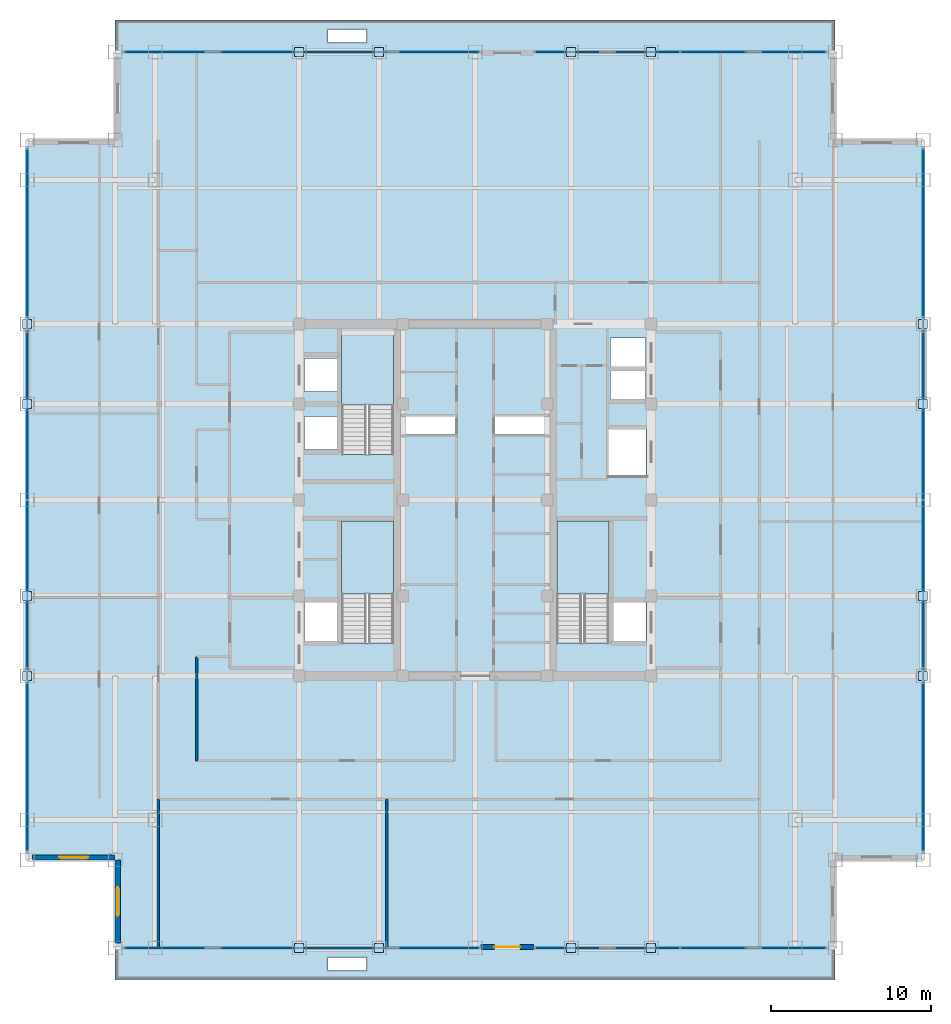
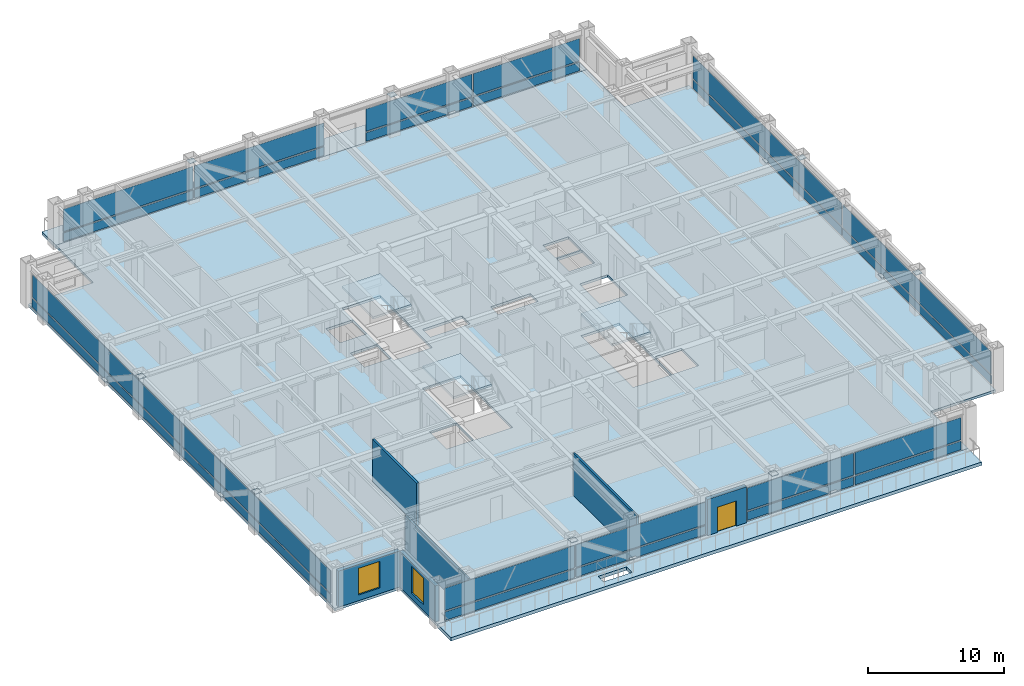
# One storey, part 25 of 32: 40 plates, 6 slabs, 6 walls, 2 windows, 1 door, 3 openings, 9 elements without a shape of their own.
"""IFC4 building model written with IfcOpenShell, lengths in metres."""

import ifcopenshell
import ifcopenshell.guid

model = None  # the IFC model being written
_history = None  # IfcOwnerHistory: only IFC2X3 demands one
_inside = {}  # id of a spatial element -> (the spatial element, [elements in it])
_under = {}  # id of a project, library or spatial element -> (it, [spatial elements below it])
_declared = {}  # id of a project -> (the project, [libraries it declares])
_typed = {}  # id of a type object -> (the type object, [elements of that type])
_made_of = {}  # id of a material, layer set ... -> (it, [elements and type objects made of it])


def new_model(schema):
    """Start an empty IFC model of exactly this schema.

    Asked for "IFC4X3", IfcOpenShell would pick the latest addendum, in which some entities
    have other attributes; the version numbers below select the first issue.
    IFC2X3 requires an IfcOwnerHistory on every rooted entity: one is made here for all.
    """
    global model, _history
    if schema == "IFC4X3":
        model = ifcopenshell.file(schema_version=(4, 3, 0, 0))
    else:
        model = ifcopenshell.file(schema=schema)
    _inside.clear()
    _under.clear()
    _declared.clear()
    _typed.clear()
    _made_of.clear()
    _history = None
    if model.schema == "IFC2X3":
        org = make("IfcOrganization", Name="unknown")
        user = make(
            "IfcPersonAndOrganization",
            ThePerson=make("IfcPerson", FamilyName="unknown"),
            TheOrganization=org,
        )
        app = make(
            "IfcApplication",
            ApplicationDeveloper=org,
            Version="unknown",
            ApplicationFullName="unknown",
            ApplicationIdentifier="unknown",
        )
        _history = make(
            "IfcOwnerHistory",
            OwningUser=user,
            OwningApplication=app,
            ChangeAction="ADDED",
            CreationDate=0,
        )
    return model


def make(cls, **values):
    """One entity of the class cls with the attributes given. An attribute that is None is left unset."""
    return model.create_entity(
        cls, **{name: value for name, value in values.items() if value is not None}
    )


def rooted(cls, **values):
    """An entity with a GlobalId (a new one), such as an element, a storey or a relation."""
    return make(cls, GlobalId=ifcopenshell.guid.new(), OwnerHistory=_history, **values)


def si_unit(unit_type, name, prefix=None):
    """IfcSIUnit, for example si_unit("LENGTHUNIT", "METRE", prefix="MILLI")."""
    return make("IfcSIUnit", UnitType=unit_type, Prefix=prefix, Name=name)


def assignment(units):
    """IfcUnitAssignment: the units of a project."""
    return None if units is None else make("IfcUnitAssignment", Units=units)


def point(xyz):
    """IfcCartesianPoint."""
    return None if xyz is None else make("IfcCartesianPoint", Coordinates=xyz)


def direction(xyz):
    """IfcDirection."""
    return None if xyz is None else make("IfcDirection", DirectionRatios=xyz)


def frame(location, z_axis=None, x_axis=None):
    """IfcAxis2Placement3D, a coordinate frame: its origin and axes. An axis left out is left unset."""
    return make(
        "IfcAxis2Placement3D",
        Location=point(location),
        Axis=direction(z_axis),
        RefDirection=direction(x_axis),
    )


def frame_2d(location, x_axis=None):
    """IfcAxis2Placement2D, a coordinate frame in the plane: its origin and x axis."""
    return make(
        "IfcAxis2Placement2D", Location=point(location), RefDirection=direction(x_axis)
    )


def origin():
    """The frame at (0, 0, 0) with its axes left unset."""
    return frame((0.0, 0.0, 0.0))


def origin_2d():
    """The frame at (0, 0) in the plane with its x axis left unset."""
    return frame_2d((0.0, 0.0))


def place(relative_to, where):
    """IfcLocalPlacement: puts the frame where relative to a parent placement (None: the world)."""
    return make(
        "IfcLocalPlacement", PlacementRelTo=relative_to, RelativePlacement=where
    )


def context(
    kind, dimensions, precision=None, world=None, true_north=None, identifier=None
):
    """IfcGeometricRepresentationContext, for example the 3D "Model" context."""
    return make(
        "IfcGeometricRepresentationContext",
        ContextIdentifier=identifier,
        ContextType=kind,
        CoordinateSpaceDimension=dimensions,
        Precision=precision,
        WorldCoordinateSystem=world,
        TrueNorth=true_north,
    )


def subcontext(parent, identifier, kind, view, scale=None):
    """IfcGeometricRepresentationSubContext, for example "Body" below "Model"."""
    return make(
        "IfcGeometricRepresentationSubContext",
        ContextIdentifier=identifier,
        ContextType=kind,
        ParentContext=parent,
        TargetScale=scale,
        TargetView=view,
    )


def project(units=None, contexts=None):
    """IfcProject with its units and contexts."""
    return rooted(
        "IfcProject",
        Name="project",
        RepresentationContexts=contexts,
        UnitsInContext=assignment(units),
    )


def spatial(cls, under=None, at=None, **own):
    """A site, building, storey or space (cls), placed at a placement, below another one or the project."""
    s = rooted(cls, ObjectPlacement=at, **own)
    if under is not None:
        _under.setdefault(under.id(), (under, []))[1].append(s)
    return s


def polyline(points):
    """IfcPolyline through the points."""
    return make("IfcPolyline", Points=[point(p) for p in points])


def profile(cls, at=None, kind="AREA", **sizes):
    """A parametric profile (cls). Its sizes go by their IFC names, for example OverallWidth=200.0."""
    return make(cls, ProfileType=kind, Position=at, **sizes)


def rectangle(**sizes):
    """IfcRectangleProfileDef."""
    return profile("IfcRectangleProfileDef", **sizes)


def outline(outer, holes=None, kind="AREA"):
    """IfcArbitraryClosedProfileDef: a profile drawn as a closed curve; with holes, ...WithVoids."""
    if holes is None:
        return make("IfcArbitraryClosedProfileDef", ProfileType=kind, OuterCurve=outer)
    return make(
        "IfcArbitraryProfileDefWithVoids",
        ProfileType=kind,
        OuterCurve=outer,
        InnerCurves=holes,
    )


def extrude(swept, where, along, depth):
    """IfcExtrudedAreaSolid: the profile swept, set in the frame where, extruded along a direction by depth."""
    return make(
        "IfcExtrudedAreaSolid",
        SweptArea=swept,
        Position=where,
        ExtrudedDirection=direction(along),
        Depth=depth,
    )


def shape(context_of_items, identifier, shape_type, items):
    """IfcShapeRepresentation: the items that make up one representation, for example the "Body"."""
    return make(
        "IfcShapeRepresentation",
        ContextOfItems=context_of_items,
        RepresentationIdentifier=identifier,
        RepresentationType=shape_type,
        Items=items,
    )


def source(mapping_origin, context_of_items, identifier, shape_type, items):
    """IfcRepresentationMap: a shape defined once, which mapped items show again and again."""
    return make(
        "IfcRepresentationMap",
        MappingOrigin=mapping_origin,
        MappedRepresentation=shape(context_of_items, identifier, shape_type, items),
    )


def transform(
    local_origin,
    x_axis=None,
    y_axis=None,
    z_axis=None,
    scale=None,
    scale2=None,
    scale3=None,
    uniform=True,
):
    """IfcCartesianTransformationOperator3D, or its non-uniform kind. x_axis, y_axis, z_axis: its Axis1, 2, 3."""
    if uniform:
        return make(
            "IfcCartesianTransformationOperator3D",
            Axis1=direction(x_axis),
            Axis2=direction(y_axis),
            LocalOrigin=point(local_origin),
            Scale=scale,
            Axis3=direction(z_axis),
        )
    return make(
        "IfcCartesianTransformationOperator3DnonUniform",
        Axis1=direction(x_axis),
        Axis2=direction(y_axis),
        LocalOrigin=point(local_origin),
        Scale=scale,
        Axis3=direction(z_axis),
        Scale2=scale2,
        Scale3=scale3,
    )


def mapped(mapping_source, mapping_target):
    """IfcMappedItem: shows the shape of a source again, moved by a transform."""
    return make(
        "IfcMappedItem", MappingSource=mapping_source, MappingTarget=mapping_target
    )


def material(Name=None, Category=None):
    """IfcMaterial."""
    return make("IfcMaterial", Name=Name, Category=Category)


def layer(
    of_material, thickness, ventilated=None, Name=None, Category=None, Priority=None
):
    """IfcMaterialLayer: one layer of a wall or slab, of a material (None: an air gap)."""
    return make(
        "IfcMaterialLayer",
        Material=of_material,
        LayerThickness=thickness,
        IsVentilated=ventilated,
        Name=Name,
        Category=Category,
        Priority=Priority,
    )


def layer_set(layers, Name=None):
    """IfcMaterialLayerSet."""
    return make("IfcMaterialLayerSet", MaterialLayers=layers, LayerSetName=Name)


def made_of(thing, what):
    """Note that an element or type object is made of a material, layer set ...; save() writes the relation."""
    if what is not None:
        _made_of.setdefault(what.id(), (what, []))[1].append(thing)
    return thing


def type_object(cls, material=None, **own):
    """A type object (cls), such as IfcWallType, which elements share."""
    return made_of(rooted(cls, **own), material)


def element(
    cls,
    number,
    at=None,
    inside=None,
    cuts=None,
    type_object=None,
    material=None,
    context=None,
    identifier="Body",
    shape_type=None,
    held_by="IfcProductDefinitionShape",
    body=None,
    shapes=None,
    **own,
):
    """One element of the class cls, such as IfcWall. Its Tag is "e" and its number.

    at: its placement. inside: the storey or other place that contains it. cuts: it is an
    opening in that element (IfcRelVoidsElement). A single representation is given by context,
    identifier, shape_type and body (its items); several are given by shapes. held_by: the class
    of the entity that holds the representations. save() writes the other relations.
    """
    e = rooted(cls, Tag="e%d" % number, ObjectPlacement=at, **own)
    if body is not None:
        shapes = [shape(context, identifier, shape_type, body)]
    if shapes is not None:
        e.Representation = make(held_by, Representations=shapes)
    if inside is not None:
        _inside.setdefault(inside.id(), (inside, []))[1].append(e)
    if cuts is not None:
        rooted(
            "IfcRelVoidsElement", RelatingBuildingElement=cuts, RelatedOpeningElement=e
        )
    if type_object is not None:
        _typed.setdefault(type_object.id(), (type_object, []))[1].append(e)
    return made_of(e, material)


def fill(opening, filler):
    """IfcRelFillsElement: the door or window that sits in an opening."""
    return rooted(
        "IfcRelFillsElement",
        RelatingOpeningElement=opening,
        RelatedBuildingElement=filler,
    )


def aggregate(whole, parts):
    """IfcRelAggregates: a whole, such as a stair, and the parts it consists of."""
    return rooted("IfcRelAggregates", RelatingObject=whole, RelatedObjects=parts)


def save(model, path):
    """Write the relations noted so far, then the file.

    IfcRelAggregates (storeys below a building ...), IfcRelContainedInSpatialStructure (elements
    in a storey), IfcRelDefinesByType, IfcRelAssociatesMaterial and IfcRelDeclares: one each for
    every whole, place, type object, material and project.
    """
    for whole, parts in _under.values():
        aggregate(whole, parts)
    for where, things in _inside.values():
        rooted(
            "IfcRelContainedInSpatialStructure",
            RelatedElements=things,
            RelatingStructure=where,
        )
    for kind, things in _typed.values():
        rooted("IfcRelDefinesByType", RelatedObjects=things, RelatingType=kind)
    for what, things in _made_of.values():
        rooted("IfcRelAssociatesMaterial", RelatedObjects=things, RelatingMaterial=what)
    for by, libraries in _declared.values():
        rooted("IfcRelDeclares", RelatingContext=by, RelatedDefinitions=libraries)
    model.write(path)


model = new_model("IFC4")

# Units and contexts
model_context = context("Model", 3, precision=1e-05, world=origin(), true_north=direction((0.0, 1.0)))
body_context = subcontext(model_context, "Body", "Model", "MODEL_VIEW")
ifc_project = project(units=[si_unit("LENGTHUNIT", "METRE"), si_unit("AREAUNIT", "SQUARE_METRE"), si_unit("VOLUMEUNIT", "CUBIC_METRE"), si_unit("PLANEANGLEUNIT", "RADIAN"), si_unit("MASSUNIT", "GRAM", prefix="KILO")], contexts=[model_context])

# Site, building, storey
site_placement = place(None, origin())
site = spatial("IfcSite", under=ifc_project, at=site_placement, CompositionType="ELEMENT")
building_placement = place(site_placement, origin())
building = spatial("IfcBuilding", under=site, at=building_placement, Name="Khorayat Bourse Tower", CompositionType="ELEMENT")
storey_placement = place(building_placement, frame((0.0, 0.0, 273.5)))
storey = spatial("IfcBuildingStorey", under=building, at=storey_placement, Name="L64", CompositionType="ELEMENT", Elevation=273.5)

# Stair, slab
ifc_material_1 = material(Name="Concrete C40/50", Category="concrete")
stair_type = type_object("IfcStairType", Name="STR-CORE-1550", PredefinedType="HALF_TURN_STAIR", material=ifc_material_1)
stair_1_placement = place(storey_placement, origin())
stair_1 = element("IfcStair", 1, at=stair_1_placement, inside=storey, type_object=stair_type, Name="L64 Exit Stair ST-1", PredefinedType="HALF_TURN_STAIR")
ifc_layer_1 = layer(ifc_material_1, 0.199951171875)
ifc_layer_set_1 = layer_set([ifc_layer_1], Name="Concrete C40/50")
slab_type_1 = type_object("IfcSlabType", Name="SLB-LANDING-200", PredefinedType="LANDING", material=ifc_layer_set_1)
slab_1_placement = place(storey_placement, frame((0.0, 0.0, 1.800048828125)))
slab_1 = element("IfcSlab", 2, at=slab_1_placement, type_object=slab_type_1, Name="ST-1 landing 1", PredefinedType="LANDING", context=body_context, shape_type="SweptSolid", body=[
    extrude(outline(polyline([(-5.10009765625, -5.8701171875), (-5.10009765625, -1.300048828125), (-8.35009765625, -1.300048828125), (-8.35009765625, -5.8701171875), (-5.10009765625, -5.8701171875)])), origin(), (0.0, 0.0, 1.0), 0.199951171875),
])
aggregate(stair_1, [slab_1])

stair_2_placement = place(storey_placement, origin())
stair_2 = element("IfcStair", 3, at=stair_2_placement, inside=storey, type_object=stair_type, Name="L64 Exit Stair ST-2", PredefinedType="HALF_TURN_STAIR")
slab_2_placement = place(storey_placement, frame((0.0, 0.0, 1.800048828125)))
slab_2 = element("IfcSlab", 4, at=slab_2_placement, type_object=slab_type_1, Name="ST-2 landing 1", PredefinedType="LANDING", context=body_context, shape_type="SweptSolid", body=[
    extrude(outline(polyline([(-5.10009765625, 5.929931640625), (-5.10009765625, 10.5), (-8.35009765625, 10.5), (-8.35009765625, 5.929931640625), (-5.10009765625, 5.929931640625)])), origin(), (0.0, 0.0, 1.0), 0.199951171875),
])
aggregate(stair_2, [slab_2])

stair_3_placement = place(storey_placement, origin())
stair_3 = element("IfcStair", 5, at=stair_3_placement, inside=storey, type_object=stair_type, Name="L64 Exit Stair ST-3", PredefinedType="HALF_TURN_STAIR")
slab_3_placement = place(storey_placement, frame((0.0, 0.0, 1.800048828125)))
slab_3 = element("IfcSlab", 6, at=slab_3_placement, type_object=slab_type_1, Name="ST-3 landing 1", PredefinedType="LANDING", context=body_context, shape_type="SweptSolid", body=[
    extrude(outline(polyline([(8.35009765625, -5.8701171875), (8.35009765625, -1.300048828125), (5.10009765625, -1.300048828125), (5.10009765625, -5.8701171875), (8.35009765625, -5.8701171875)])), origin(), (0.0, 0.0, 1.0), 0.199951171875),
])
aggregate(stair_3, [slab_3])

# Slabs
ifc_layer_2 = layer(ifc_material_1, 0.219970703125)
ifc_layer_set_2 = layer_set([ifc_layer_2], Name="Concrete C40/50")
slab_type_2 = type_object("IfcSlabType", Name="SLB-OFFICE-220", PredefinedType="FLOOR", material=ifc_layer_set_2)
slab_4_placement = place(storey_placement, frame((0.0, 0.0, -0.219970703125)))
element("IfcSlab", 7, at=slab_4_placement, inside=storey, type_object=slab_type_2, Name="L64 Main Floor Slab", PredefinedType="FLOOR", context=body_context, shape_type="SweptSolid", body=[
    extrude(outline(polyline([(-22.5, -28.0), (22.5, -28.0), (22.5, -22.5), (28.0, -22.5), (28.0, 22.5), (22.5, 22.5), (22.5, 28.0), (-22.5, 28.0), (-22.5, 22.5), (-28.0, 22.5), (-28.0, -22.5), (-22.5, -22.5), (-22.5, -28.0)]), holes=[polyline([(-8.35009765625, -8.945068359375), (-5.10009765625, -8.945068359375), (-5.10009765625, -1.300048828125), (-8.35009765625, -1.300048828125), (-8.35009765625, -8.945068359375)]), polyline([(-8.35009765625, 2.85498046875), (-5.10009765625, 2.85498046875), (-5.10009765625, 10.5), (-8.35009765625, 10.5), (-8.35009765625, 2.85498046875)]), polyline([(5.10009765625, -8.945068359375), (8.35009765625, -8.945068359375), (8.35009765625, -1.300048828125), (5.10009765625, -1.300048828125), (5.10009765625, -8.945068359375)]), polyline([(-10.679931640625, 3.169921875), (-8.419921875, 3.169921875), (-8.419921875, 5.22998046875), (-10.679931640625, 5.22998046875), (-10.679931640625, 3.169921875)]), polyline([(-10.679931640625, 6.77001953125), (-8.419921875, 6.77001953125), (-8.419921875, 8.830078125), (-10.679931640625, 8.830078125), (-10.679931640625, 6.77001953125)]), polyline([(8.469970703125, 6.27001953125), (10.6298828125, 6.27001953125), (10.6298828125, 8.1298828125), (8.469970703125, 8.1298828125), (8.469970703125, 6.27001953125)]), polyline([(8.469970703125, 8.27001953125), (10.6298828125, 8.27001953125), (10.6298828125, 10.1298828125), (8.469970703125, 10.1298828125), (8.469970703125, 8.27001953125)]), polyline([(-10.679931640625, -8.929931640625), (-8.419921875, -8.929931640625), (-8.419921875, -6.3701171875), (-10.679931640625, -6.3701171875), (-10.679931640625, -8.929931640625)]), polyline([(8.419921875, -8.929931640625), (10.679931640625, -8.929931640625), (10.679931640625, -6.3701171875), (8.419921875, -6.3701171875), (8.419921875, -8.929931640625)]), polyline([(8.320068359375, 1.52001953125), (10.679931640625, 1.52001953125), (10.679931640625, 4.47998046875), (8.320068359375, 4.47998046875), (8.320068359375, 1.52001953125)]), polyline([(-4.56005859375, 4.080078125), (-1.18994140625, 4.080078125), (-1.18994140625, 5.219970703125), (-4.56005859375, 5.219970703125), (-4.56005859375, 4.080078125)]), polyline([(1.18994140625, 4.080078125), (4.56005859375, 4.080078125), (4.56005859375, 5.219970703125), (1.18994140625, 5.219970703125), (1.18994140625, 4.080078125)])]), origin(), (0.0, 0.0, 1.0), 0.219970703125),
])
ifc_layer_3 = layer(ifc_material_1, 0.300048828125)
ifc_layer_set_3 = layer_set([ifc_layer_3], Name="Concrete C40/50")
slab_type_3 = type_object("IfcSlabType", Name="SLB-TERR-300", PredefinedType="FLOOR", material=ifc_layer_set_3)
slab_5_placement = place(storey_placement, frame((0.0, 0.0, -0.300048828125)))
element("IfcSlab", 8, at=slab_5_placement, inside=storey, type_object=slab_type_3, Name="L64 Planted Garden Terrace Slab 01", PredefinedType="FLOOR", context=body_context, shape_type="SweptSolid", body=[
    extrude(outline(polyline([(-22.5, 28.0), (22.5, 28.0), (22.5, 30.0), (-22.5, 30.0), (-22.5, 28.0)]), holes=[polyline([(-9.199951171875, 28.60009765625), (-6.800048828125, 28.60009765625), (-6.800048828125, 29.39990234375), (-9.199951171875, 29.39990234375), (-9.199951171875, 28.60009765625)])]), origin(), (0.0, 0.0, 1.0), 0.300048828125),
])
slab_6_placement = place(storey_placement, frame((0.0, 0.0, -0.300048828125)))
element("IfcSlab", 9, at=slab_6_placement, inside=storey, type_object=slab_type_3, Name="L64 Planted Garden Terrace Slab 02", PredefinedType="FLOOR", context=body_context, shape_type="SweptSolid", body=[
    extrude(outline(polyline([(-22.5, -30.0), (22.5, -30.0), (22.5, -28.0), (-22.5, -28.0), (-22.5, -30.0)]), holes=[polyline([(-9.199951171875, -29.39990234375), (-6.800048828125, -29.39990234375), (-6.800048828125, -28.60009765625), (-9.199951171875, -28.60009765625), (-9.199951171875, -29.39990234375)])]), origin(), (0.0, 0.0, 1.0), 0.300048828125),
])

# Plates
ifc_material_2 = material(Name="Steel EN 10025-2 S355J2", Category="steel")
ifc_layer_4 = layer(ifc_material_2, 0.02490234375)
ifc_layer_set_4 = layer_set([ifc_layer_4], Name="Steel EN 10025-2 S355J2")
plate_type_1 = type_object("IfcPlateType", Name="PLT-ENDCAP-25", PredefinedType="SHEET", material=ifc_layer_set_4)
shared_shape_1 = source(origin(), body_context, "Body", "SweptSolid", [
    extrude(rectangle(XDim=0.56005859375, YDim=0.56005859375, at=origin_2d()), origin(), (0.0, 0.0, 1.0), 0.02490234375),
])
for number, where, z_axis, x_axis, name in (
    (10, (-11.0, -28.0, 3.517578125), (0.0, 0.0, 1.0), (1.0, 0.0, 0.0), "L64 Perimeter Brace End Plate 001"),
    (11, (-6.0, -28.0, 0.237548828125), (0.0, 0.0, 1.0), (1.0, 0.0, 0.0), "L64 Perimeter Brace End Plate 002"),
    (12, (6.0, -28.0, 3.517578125), (0.0, 0.0, 1.0), (1.0, 0.0, 0.0), "L64 Perimeter Brace End Plate 003"),
    (13, (11.0, -28.0, 0.237548828125), (0.0, 0.0, 1.0), (1.0, 0.0, 0.0), "L64 Perimeter Brace End Plate 004"),
    (14, (-11.0, 28.0, 3.517578125), (0.0, 0.0, 1.0), (1.0, 0.0, 0.0), "L64 Perimeter Brace End Plate 005"),
    (15, (-6.0, 28.0, 0.237548828125), (0.0, 0.0, 1.0), (1.0, 0.0, 0.0), "L64 Perimeter Brace End Plate 006"),
    (16, (6.0, 28.0, 3.517578125), (0.0, 0.0, 1.0), (1.0, 0.0, 0.0), "L64 Perimeter Brace End Plate 007"),
    (17, (11.0, 28.0, 0.237548828125), (0.0, 0.0, 1.0), (1.0, 0.0, 0.0), "L64 Perimeter Brace End Plate 008"),
    (18, (-28.0, -11.0, 3.517578125), (0.0, 0.0, 1.0), (1.0, 0.0, 0.0), "L64 Perimeter Brace End Plate 009"),
    (19, (-28.0, -6.0, 0.237548828125), (0.0, 0.0, 1.0), (1.0, 0.0, 0.0), "L64 Perimeter Brace End Plate 010"),
    (20, (-28.0, 6.0, 3.517578125), (0.0, 0.0, 1.0), (1.0, 0.0, 0.0), "L64 Perimeter Brace End Plate 011"),
    (21, (-28.0, 11.0, 0.237548828125), (0.0, 0.0, 1.0), (1.0, 0.0, 0.0), "L64 Perimeter Brace End Plate 012"),
    (22, (28.0, -11.0, 3.517578125), (0.0, 0.0, 1.0), (1.0, 0.0, 0.0), "L64 Perimeter Brace End Plate 013"),
    (23, (28.0, -6.0, 0.237548828125), (0.0, 0.0, 1.0), (1.0, 0.0, 0.0), "L64 Perimeter Brace End Plate 014"),
    (24, (28.0, 6.0, 3.517578125), (0.0, 0.0, 1.0), (1.0, 0.0, 0.0), "L64 Perimeter Brace End Plate 015"),
    (25, (28.0, 11.0, 0.237548828125), (0.0, 0.0, 1.0), (1.0, 0.0, 0.0), "L64 Perimeter Brace End Plate 016"),
):
    element("IfcPlate", number, at=place(storey_placement, frame(where, z_axis=z_axis, x_axis=x_axis)), inside=storey, type_object=plate_type_1, Name=name, PredefinedType="SHEET", context=body_context, shape_type="MappedRepresentation", body=[
        mapped(shared_shape_1, transform((0.0, 0.0, 0.0), scale=1.0)),
    ])

# Curtain wall, plates
ifc_material_3 = material(Name="Aluminium EN AW-6063 T6", Category="aluminium")
curtain_wall_type = type_object("IfcCurtainWallType", Name="CW-SYS-04", PredefinedType="NOTDEFINED", material=ifc_material_3)
curtain_wall_1_placement = place(storey_placement, origin())
curtain_wall_1 = element("IfcCurtainWall", 26, at=curtain_wall_1_placement, inside=storey, type_object=curtain_wall_type, Name="L64 Curtain Wall CW-L64-S1", PredefinedType="NOTDEFINED")
ifc_material_4 = material(Name="Honed desert limestone insulated spandrel", Category="masonry")
ifc_layer_5 = layer(ifc_material_4, 0.06494140625)
ifc_layer_set_5 = layer_set([ifc_layer_5], Name="Honed desert limestone insulated spandrel")
plate_type_2 = type_object("IfcPlateType", Name="CWP-SPAND-03", PredefinedType="CURTAIN_PANEL", material=ifc_layer_set_5)
shared_shape_2 = source(origin(), body_context, "Body", "SweptSolid", [
    extrude(rectangle(XDim=10.9951171875, YDim=0.06494140625, at=origin_2d()), origin(), (0.0, 0.0, 1.0), 0.77001953125),
])
plate_1_placement = place(storey_placement, frame((-16.382568359375, -28.0, 0.119873046875), z_axis=(0.0, 0.0, 1.0), x_axis=(1.0, 0.0, 0.0)))
plate_1 = element("IfcPlate", 27, at=plate_1_placement, type_object=plate_type_2, Name="CW-L64-S1 Spandrel Panel 1-1", PredefinedType="CURTAIN_PANEL", context=body_context, shape_type="MappedRepresentation", body=[
    mapped(shared_shape_2, transform((0.0, 0.0, 0.0), scale=1.0)),
])
plate_2_placement = place(storey_placement, frame((-5.267578125, -28.0, 0.119873046875), z_axis=(0.0, 0.0, 1.0), x_axis=(1.0, 0.0, 0.0)))
plate_2 = element("IfcPlate", 28, at=plate_2_placement, type_object=plate_type_2, Name="CW-L64-S1 Spandrel Panel 2-1", PredefinedType="CURTAIN_PANEL", context=body_context, shape_type="MappedRepresentation", body=[
    mapped(shared_shape_2, transform((0.0, 0.0, 0.0), scale=1.0)),
])

curtain_wall_2_placement = place(storey_placement, origin())
curtain_wall_2 = element("IfcCurtainWall", 29, at=curtain_wall_2_placement, inside=storey, type_object=curtain_wall_type, Name="L64 Curtain Wall CW-L64-N1", PredefinedType="NOTDEFINED")
plate_3_placement = place(storey_placement, frame((-16.382568359375, 28.0, 0.119873046875), z_axis=(0.0, 0.0, 1.0), x_axis=(1.0, 0.0, 0.0)))
plate_3 = element("IfcPlate", 30, at=plate_3_placement, type_object=plate_type_2, Name="CW-L64-N1 Spandrel Panel 1-1", PredefinedType="CURTAIN_PANEL", context=body_context, shape_type="MappedRepresentation", body=[
    mapped(shared_shape_2, transform((0.0, 0.0, 0.0), scale=1.0)),
])
plate_4_placement = place(storey_placement, frame((-5.267578125, 28.0, 0.119873046875), z_axis=(0.0, 0.0, 1.0), x_axis=(1.0, 0.0, 0.0)))
plate_4 = element("IfcPlate", 31, at=plate_4_placement, type_object=plate_type_2, Name="CW-L64-N1 Spandrel Panel 2-1", PredefinedType="CURTAIN_PANEL", context=body_context, shape_type="MappedRepresentation", body=[
    mapped(shared_shape_2, transform((0.0, 0.0, 0.0), scale=1.0)),
])

# Plate
ifc_material_5 = material(Name="Low-E solar-control laminated double glazing", Category="glass")
ifc_layer_6 = layer(ifc_material_5, 0.0419921875)
ifc_layer_set_6 = layer_set([ifc_layer_6], Name="Low-E solar-control laminated double glazing")
plate_type_3 = type_object("IfcPlateType", Name="CWP-FACET-02", PredefinedType="CURTAIN_PANEL", material=ifc_layer_set_6)
shared_shape_3 = source(origin(), body_context, "Body", "SweptSolid", [
    extrude(rectangle(XDim=10.9951171875, YDim=0.0419921875, at=origin_2d()), origin(), (0.0, 0.0, 1.0), 2.0),
])
plate_5_placement = place(storey_placement, frame((-16.382568359375, -28.0, 1.010009765625), z_axis=(0.0, 0.0, 1.0), x_axis=(1.0, 0.0, 0.0)))
plate_5 = element("IfcPlate", 32, at=plate_5_placement, type_object=plate_type_3, Name="CW-L64-S1 Vision Panel 1-2", PredefinedType="CURTAIN_PANEL", context=body_context, shape_type="MappedRepresentation", body=[
    mapped(shared_shape_3, transform((0.0, 0.0, 0.0), scale=1.0)),
])

plate_6_placement = place(storey_placement, frame((-5.267578125, -28.0, 1.010009765625), z_axis=(0.0, 0.0, 1.0), x_axis=(1.0, 0.0, 0.0)))
plate_6 = element("IfcPlate", 33, at=plate_6_placement, type_object=plate_type_3, Name="CW-L64-S1 Vision Panel 2-2", PredefinedType="CURTAIN_PANEL", context=body_context, shape_type="MappedRepresentation", body=[
    mapped(shared_shape_3, transform((0.0, 0.0, 0.0), scale=1.0)),
])

aggregate(curtain_wall_1, [plate_1, plate_5, plate_2, plate_6])

plate_7_placement = place(storey_placement, frame((-16.382568359375, 28.0, 1.010009765625), z_axis=(0.0, 0.0, 1.0), x_axis=(1.0, 0.0, 0.0)))
plate_7 = element("IfcPlate", 34, at=plate_7_placement, type_object=plate_type_3, Name="CW-L64-N1 Vision Panel 1-2", PredefinedType="CURTAIN_PANEL", context=body_context, shape_type="MappedRepresentation", body=[
    mapped(shared_shape_3, transform((0.0, 0.0, 0.0), scale=1.0)),
])

plate_8_placement = place(storey_placement, frame((-5.267578125, 28.0, 1.010009765625), z_axis=(0.0, 0.0, 1.0), x_axis=(1.0, 0.0, 0.0)))
plate_8 = element("IfcPlate", 35, at=plate_8_placement, type_object=plate_type_3, Name="CW-L64-N1 Vision Panel 2-2", PredefinedType="CURTAIN_PANEL", context=body_context, shape_type="MappedRepresentation", body=[
    mapped(shared_shape_3, transform((0.0, 0.0, 0.0), scale=1.0)),
])

aggregate(curtain_wall_2, [plate_3, plate_7, plate_4, plate_8])

# Curtain wall, plates
curtain_wall_3_placement = place(storey_placement, origin())
curtain_wall_3 = element("IfcCurtainWall", 36, at=curtain_wall_3_placement, inside=storey, type_object=curtain_wall_type, Name="L64 Curtain Wall CW-L64-S2", PredefinedType="NOTDEFINED")
shared_shape_4 = source(origin(), body_context, "Body", "SweptSolid", [
    extrude(rectangle(XDim=8.9951171875, YDim=0.06494140625, at=origin_2d()), origin(), (0.0, 0.0, 1.0), 0.77001953125),
])
plate_9_placement = place(storey_placement, frame((8.267578125, -28.0, 0.119873046875), z_axis=(0.0, 0.0, 1.0), x_axis=(1.0, 0.0, 0.0)))
plate_9 = element("IfcPlate", 37, at=plate_9_placement, type_object=plate_type_2, Name="CW-L64-S2 Spandrel Panel 1-1", PredefinedType="CURTAIN_PANEL", context=body_context, shape_type="MappedRepresentation", body=[
    mapped(shared_shape_4, transform((0.0, 0.0, 0.0), scale=1.0)),
])
plate_10_placement = place(storey_placement, frame((17.382568359375, -28.0, 0.119873046875), z_axis=(0.0, 0.0, 1.0), x_axis=(1.0, 0.0, 0.0)))
plate_10 = element("IfcPlate", 38, at=plate_10_placement, type_object=plate_type_2, Name="CW-L64-S2 Spandrel Panel 2-1", PredefinedType="CURTAIN_PANEL", context=body_context, shape_type="MappedRepresentation", body=[
    mapped(shared_shape_4, transform((0.0, 0.0, 0.0), scale=1.0)),
])

curtain_wall_4_placement = place(storey_placement, origin())
curtain_wall_4 = element("IfcCurtainWall", 39, at=curtain_wall_4_placement, inside=storey, type_object=curtain_wall_type, Name="L64 Curtain Wall CW-L64-N2", PredefinedType="NOTDEFINED")
plate_11_placement = place(storey_placement, frame((8.267578125, 28.0, 0.119873046875), z_axis=(0.0, 0.0, 1.0), x_axis=(1.0, 0.0, 0.0)))
plate_11 = element("IfcPlate", 40, at=plate_11_placement, type_object=plate_type_2, Name="CW-L64-N2 Spandrel Panel 1-1", PredefinedType="CURTAIN_PANEL", context=body_context, shape_type="MappedRepresentation", body=[
    mapped(shared_shape_4, transform((0.0, 0.0, 0.0), scale=1.0)),
])
plate_12_placement = place(storey_placement, frame((17.382568359375, 28.0, 0.119873046875), z_axis=(0.0, 0.0, 1.0), x_axis=(1.0, 0.0, 0.0)))
plate_12 = element("IfcPlate", 41, at=plate_12_placement, type_object=plate_type_2, Name="CW-L64-N2 Spandrel Panel 2-1", PredefinedType="CURTAIN_PANEL", context=body_context, shape_type="MappedRepresentation", body=[
    mapped(shared_shape_4, transform((0.0, 0.0, 0.0), scale=1.0)),
])

# Plate
shared_shape_5 = source(origin(), body_context, "Body", "SweptSolid", [
    extrude(rectangle(XDim=8.9951171875, YDim=0.0419921875, at=origin_2d()), origin(), (0.0, 0.0, 1.0), 2.0),
])
plate_13_placement = place(storey_placement, frame((8.267578125, -28.0, 1.010009765625), z_axis=(0.0, 0.0, 1.0), x_axis=(1.0, 0.0, 0.0)))
plate_13 = element("IfcPlate", 42, at=plate_13_placement, type_object=plate_type_3, Name="CW-L64-S2 Vision Panel 1-2", PredefinedType="CURTAIN_PANEL", context=body_context, shape_type="MappedRepresentation", body=[
    mapped(shared_shape_5, transform((0.0, 0.0, 0.0), scale=1.0)),
])

plate_14_placement = place(storey_placement, frame((17.382568359375, -28.0, 1.010009765625), z_axis=(0.0, 0.0, 1.0), x_axis=(1.0, 0.0, 0.0)))
plate_14 = element("IfcPlate", 43, at=plate_14_placement, type_object=plate_type_3, Name="CW-L64-S2 Vision Panel 2-2", PredefinedType="CURTAIN_PANEL", context=body_context, shape_type="MappedRepresentation", body=[
    mapped(shared_shape_5, transform((0.0, 0.0, 0.0), scale=1.0)),
])

aggregate(curtain_wall_3, [plate_9, plate_13, plate_10, plate_14])

plate_15_placement = place(storey_placement, frame((8.267578125, 28.0, 1.010009765625), z_axis=(0.0, 0.0, 1.0), x_axis=(1.0, 0.0, 0.0)))
plate_15 = element("IfcPlate", 44, at=plate_15_placement, type_object=plate_type_3, Name="CW-L64-N2 Vision Panel 1-2", PredefinedType="CURTAIN_PANEL", context=body_context, shape_type="MappedRepresentation", body=[
    mapped(shared_shape_5, transform((0.0, 0.0, 0.0), scale=1.0)),
])

plate_16_placement = place(storey_placement, frame((17.382568359375, 28.0, 1.010009765625), z_axis=(0.0, 0.0, 1.0), x_axis=(1.0, 0.0, 0.0)))
plate_16 = element("IfcPlate", 45, at=plate_16_placement, type_object=plate_type_3, Name="CW-L64-N2 Vision Panel 2-2", PredefinedType="CURTAIN_PANEL", context=body_context, shape_type="MappedRepresentation", body=[
    mapped(shared_shape_5, transform((0.0, 0.0, 0.0), scale=1.0)),
])

aggregate(curtain_wall_4, [plate_11, plate_15, plate_12, plate_16])

# Curtain wall, plates
curtain_wall_5_placement = place(storey_placement, origin())
curtain_wall_5 = element("IfcCurtainWall", 46, at=curtain_wall_5_placement, inside=storey, type_object=curtain_wall_type, Name="L64 Curtain Wall CW-L64-W1", PredefinedType="NOTDEFINED")
shared_shape_6 = source(origin(), body_context, "Body", "SweptSolid", [
    extrude(rectangle(XDim=21.820068359375, YDim=0.06494140625, at=origin_2d()), origin(), (0.0, 0.0, 1.0), 0.77001953125),
])
plate_17_placement = place(storey_placement, frame((-28.0, -10.969970703125, 0.119873046875), z_axis=(0.0, 0.0, 1.0), x_axis=(0.0, 1.0, 0.0)))
plate_17 = element("IfcPlate", 47, at=plate_17_placement, type_object=plate_type_2, Name="CW-L64-W1 Spandrel Panel 1-1", PredefinedType="CURTAIN_PANEL", context=body_context, shape_type="MappedRepresentation", body=[
    mapped(shared_shape_6, transform((0.0, 0.0, 0.0), scale=1.0)),
])
plate_18_placement = place(storey_placement, frame((-28.0, 10.969970703125, 0.119873046875), z_axis=(0.0, 0.0, 1.0), x_axis=(0.0, 1.0, 0.0)))
plate_18 = element("IfcPlate", 48, at=plate_18_placement, type_object=plate_type_2, Name="CW-L64-W1 Spandrel Panel 2-1", PredefinedType="CURTAIN_PANEL", context=body_context, shape_type="MappedRepresentation", body=[
    mapped(shared_shape_6, transform((0.0, 0.0, 0.0), scale=1.0)),
])

curtain_wall_6_placement = place(storey_placement, origin())
curtain_wall_6 = element("IfcCurtainWall", 49, at=curtain_wall_6_placement, inside=storey, type_object=curtain_wall_type, Name="L64 Curtain Wall CW-L64-E1", PredefinedType="NOTDEFINED")
plate_19_placement = place(storey_placement, frame((28.0, -10.969970703125, 0.119873046875), z_axis=(0.0, 0.0, 1.0), x_axis=(0.0, 1.0, 0.0)))
plate_19 = element("IfcPlate", 50, at=plate_19_placement, type_object=plate_type_2, Name="CW-L64-E1 Spandrel Panel 1-1", PredefinedType="CURTAIN_PANEL", context=body_context, shape_type="MappedRepresentation", body=[
    mapped(shared_shape_6, transform((0.0, 0.0, 0.0), scale=1.0)),
])
plate_20_placement = place(storey_placement, frame((28.0, 10.969970703125, 0.119873046875), z_axis=(0.0, 0.0, 1.0), x_axis=(0.0, 1.0, 0.0)))
plate_20 = element("IfcPlate", 51, at=plate_20_placement, type_object=plate_type_2, Name="CW-L64-E1 Spandrel Panel 2-1", PredefinedType="CURTAIN_PANEL", context=body_context, shape_type="MappedRepresentation", body=[
    mapped(shared_shape_6, transform((0.0, 0.0, 0.0), scale=1.0)),
])

# Plate
shared_shape_7 = source(origin(), body_context, "Body", "SweptSolid", [
    extrude(rectangle(XDim=21.820068359375, YDim=0.0419921875, at=origin_2d()), origin(), (0.0, 0.0, 1.0), 2.0),
])
plate_21_placement = place(storey_placement, frame((-28.0, -10.969970703125, 1.010009765625), z_axis=(0.0, 0.0, 1.0), x_axis=(0.0, 1.0, 0.0)))
plate_21 = element("IfcPlate", 52, at=plate_21_placement, type_object=plate_type_3, Name="CW-L64-W1 Vision Panel 1-2", PredefinedType="CURTAIN_PANEL", context=body_context, shape_type="MappedRepresentation", body=[
    mapped(shared_shape_7, transform((0.0, 0.0, 0.0), scale=1.0)),
])

plate_22_placement = place(storey_placement, frame((-28.0, 10.969970703125, 1.010009765625), z_axis=(0.0, 0.0, 1.0), x_axis=(0.0, 1.0, 0.0)))
plate_22 = element("IfcPlate", 53, at=plate_22_placement, type_object=plate_type_3, Name="CW-L64-W1 Vision Panel 2-2", PredefinedType="CURTAIN_PANEL", context=body_context, shape_type="MappedRepresentation", body=[
    mapped(shared_shape_7, transform((0.0, 0.0, 0.0), scale=1.0)),
])

aggregate(curtain_wall_5, [plate_17, plate_21, plate_18, plate_22])

plate_23_placement = place(storey_placement, frame((28.0, -10.969970703125, 1.010009765625), z_axis=(0.0, 0.0, 1.0), x_axis=(0.0, 1.0, 0.0)))
plate_23 = element("IfcPlate", 54, at=plate_23_placement, type_object=plate_type_3, Name="CW-L64-E1 Vision Panel 1-2", PredefinedType="CURTAIN_PANEL", context=body_context, shape_type="MappedRepresentation", body=[
    mapped(shared_shape_7, transform((0.0, 0.0, 0.0), scale=1.0)),
])

plate_24_placement = place(storey_placement, frame((28.0, 10.969970703125, 1.010009765625), z_axis=(0.0, 0.0, 1.0), x_axis=(0.0, 1.0, 0.0)))
plate_24 = element("IfcPlate", 55, at=plate_24_placement, type_object=plate_type_3, Name="CW-L64-E1 Vision Panel 2-2", PredefinedType="CURTAIN_PANEL", context=body_context, shape_type="MappedRepresentation", body=[
    mapped(shared_shape_7, transform((0.0, 0.0, 0.0), scale=1.0)),
])

aggregate(curtain_wall_6, [plate_19, plate_23, plate_20, plate_24])

# Wall, opening, window
ifc_material_6 = material(Name="Precast concrete C45/55", Category="concrete")
ifc_layer_7 = layer(ifc_material_6, 0.320068359375)
ifc_layer_set_7 = layer_set([ifc_layer_7], Name="Precast concrete C45/55")
wall_type_1 = type_object("IfcWallType", Name="WAL-EXT-STONE-320", PredefinedType="STANDARD", material=ifc_layer_set_7)
shared_shape_8 = source(origin(), body_context, "Body", "SweptSolid", [
    extrude(rectangle(XDim=5.179931640625, YDim=0.320068359375, at=frame_2d((2.58984375, 0.0))), origin(), (0.0, 0.0, 1.0), 3.23095703125),
])
wall_1_placement = place(storey_placement, frame((-22.5, -22.340087890625, 0.0), z_axis=(0.0, 0.0, 1.0), x_axis=(-1.0, 0.0, 0.0)))
wall_1 = element("IfcWall", 56, at=wall_1_placement, inside=storey, type_object=wall_type_1, Name="L64 Re-Entrant Notch Limestone Wall SW-H", PredefinedType="STANDARD", context=body_context, shape_type="MappedRepresentation", body=[
    mapped(shared_shape_8, transform((0.0, 0.0, 0.0), scale=1.0)),
])
shared_shape_9 = source(origin(), body_context, "Body", "SweptSolid", [
    extrude(rectangle(XDim=1.800048828125, YDim=2.39990234375, at=frame_2d((0.89990234375, 1.199951171875))), frame((0.0, 0.169921875, 0.0), z_axis=(0.0, -1.0, 0.0), x_axis=(1.0, 0.0, 0.0)), (0.0, 0.0, 1.0), 0.340087890625),
])
opening_1_placement = place(wall_1_placement, frame((1.68994140625, 0.0, 0.5)))
opening_1 = element("IfcOpeningElement", 57, at=opening_1_placement, cuts=wall_1, Name="Opening WN-04", PredefinedType="OPENING", context=body_context, shape_type="MappedRepresentation", body=[
    mapped(shared_shape_9, transform((0.0, 0.0, 0.0), scale=1.0)),
])
ifc_material_7 = material(Name="Low-E acoustic laminated double glazing", Category="glass")
window_type = type_object("IfcWindowType", Name="WIN-NOTCH-1800x2400", PartitioningType="SINGLE_PANEL", PredefinedType="WINDOW", material=ifc_material_7)
shared_shape_10 = source(origin(), body_context, "Body", "SweptSolid", [
    extrude(rectangle(XDim=1.800048828125, YDim=2.39990234375, at=frame_2d((0.89990234375, 1.199951171875))), frame((0.0, 0.030029296875, 0.0), z_axis=(0.0, -1.0, 0.0), x_axis=(1.0, 0.0, 0.0)), (0.0, 0.0, 1.0), 0.06005859375),
])
window_1_placement = place(opening_1_placement, origin())
window_1 = element("IfcWindow", 58, at=window_1_placement, inside=storey, type_object=window_type, Name="L64 Facade Window 1", OverallHeight=2.39990234375, OverallWidth=1.800048828125, PartitioningType="SINGLE_PANEL", PredefinedType="WINDOW", context=body_context, shape_type="MappedRepresentation", body=[
    mapped(shared_shape_10, transform((0.0, 0.0, 0.0), scale=1.0)),
])
fill(opening_1, window_1)

wall_2_placement = place(storey_placement, frame((-22.340087890625, -27.679931640625, 0.0), z_axis=(0.0, 0.0, 1.0), x_axis=(0.0, 1.0, 0.0)))
wall_2 = element("IfcWall", 59, at=wall_2_placement, inside=storey, type_object=wall_type_1, Name="L64 Re-Entrant Notch Limestone Wall SW-V", PredefinedType="STANDARD", context=body_context, shape_type="MappedRepresentation", body=[
    mapped(shared_shape_8, transform((0.0, 0.0, 0.0), scale=1.0)),
])
opening_2_placement = place(wall_2_placement, frame((1.68994140625, 0.0, 0.5)))
opening_2 = element("IfcOpeningElement", 60, at=opening_2_placement, cuts=wall_2, Name="Opening WN-04", PredefinedType="OPENING", context=body_context, shape_type="MappedRepresentation", body=[
    mapped(shared_shape_9, transform((0.0, 0.0, 0.0), scale=1.0)),
])
window_2_placement = place(opening_2_placement, origin())
window_2 = element("IfcWindow", 61, at=window_2_placement, inside=storey, type_object=window_type, Name="L64 Facade Window 1", OverallHeight=2.39990234375, OverallWidth=1.800048828125, PartitioningType="SINGLE_PANEL", PredefinedType="WINDOW", context=body_context, shape_type="MappedRepresentation", body=[
    mapped(shared_shape_10, transform((0.0, 0.0, 0.0), scale=1.0)),
])
fill(opening_2, window_2)

# Wall, opening, door
shared_shape_11 = source(origin(), body_context, "Body", "SweptSolid", [
    extrude(rectangle(XDim=3.2998046875, YDim=0.320068359375, at=frame_2d((1.64990234375, 0.0))), origin(), (0.0, 0.0, 1.0), 3.23095703125),
])
wall_3_placement = place(storey_placement, frame((0.35009765625, -27.9423828125, 0.0), z_axis=(0.0, 0.0, 1.0), x_axis=(1.0, 0.0, 0.0)))
wall_3 = element("IfcWall", 62, at=wall_3_placement, inside=storey, type_object=wall_type_1, Name="L64 Exterior Limestone Wall WAL-L64-TDPORT-S1", PredefinedType="STANDARD", context=body_context, shape_type="MappedRepresentation", body=[
    mapped(shared_shape_11, transform((0.0, 0.0, 0.0), scale=1.0)),
])
shared_shape_12 = source(origin(), body_context, "Body", "SweptSolid", [
    extrude(rectangle(XDim=1.60009765625, YDim=2.25, at=frame_2d((0.800048828125, 1.125))), frame((0.0, 0.169921875, 0.0), z_axis=(0.0, -1.0, 0.0), x_axis=(1.0, 0.0, 0.0)), (0.0, 0.0, 1.0), 0.340087890625),
])
opening_3_placement = place(wall_3_placement, frame((0.85009765625, 0.0, 0.0)))
opening_3 = element("IfcOpeningElement", 63, at=opening_3_placement, cuts=wall_3, Name="Opening DE-04", PredefinedType="OPENING", context=body_context, shape_type="MappedRepresentation", body=[
    mapped(shared_shape_12, transform((0.0, 0.0, 0.0), scale=1.0)),
])
ifc_material_8 = material(Name="Thermally broken aluminium terrace double door", Category="aluminium")
door_type = type_object("IfcDoorType", Name="DR-EXT-TERR-1600", OperationType="NOTDEFINED", PredefinedType="DOOR", material=ifc_material_8)
shared_shape_13 = source(origin(), body_context, "Body", "SweptSolid", [
    extrude(rectangle(XDim=1.60009765625, YDim=2.25, at=frame_2d((0.800048828125, 1.125))), frame((0.0, 0.02490234375, 0.0), z_axis=(0.0, -1.0, 0.0), x_axis=(1.0, 0.0, 0.0)), (0.0, 0.0, 1.0), 0.050048828125),
])
door_placement = place(opening_3_placement, origin())
door = element("IfcDoor", 64, at=door_placement, inside=storey, type_object=door_type, Name="L64 South Setback Terrace Door", OperationType="DOUBLE_DOOR_SINGLE_SWING", OverallHeight=2.25, OverallWidth=1.60009765625, PredefinedType="DOOR", context=body_context, shape_type="MappedRepresentation", body=[
    mapped(shared_shape_13, transform((0.0, 0.0, 0.0), scale=1.0)),
])
fill(opening_3, door)

# Walls
ifc_material_9 = material(Name="Gypsum plasterboard acoustic stud wall")
ifc_layer_8 = layer(ifc_material_9, 0.179931640625)
ifc_layer_set_8 = layer_set([ifc_layer_8], Name="Gypsum plasterboard acoustic stud wall")
wall_type_2 = type_object("IfcWallType", Name="WAL-PART-CORR-180", PredefinedType="PARTITIONING", material=ifc_layer_set_8)
shared_shape_14 = source(origin(), body_context, "Body", "SweptSolid", [
    extrude(rectangle(XDim=6.5, YDim=0.179931640625, at=frame_2d((3.25, 0.0))), origin(), (0.0, 0.0, 1.0), 3.780029296875),
])
wall_4_placement = place(storey_placement, frame((-17.39990234375, -16.300048828125, 0.0), z_axis=(0.0, 0.0, 1.0), x_axis=(0.0, 1.0, 0.0)))
element("IfcWall", 65, at=wall_4_placement, inside=storey, type_object=wall_type_2, Name="L64 Partition WAL-L64-PKSW-W", PredefinedType="PARTITIONING", context=body_context, shape_type="MappedRepresentation", body=[
    mapped(shared_shape_14, transform((0.0, 0.0, 0.0), scale=1.0)),
])
ifc_material_10 = material(Name="Gypsum plasterboard twin-frame partition")
ifc_layer_9 = layer(ifc_material_10, 0.14990234375)
ifc_layer_set_9 = layer_set([ifc_layer_9], Name="Gypsum plasterboard twin-frame partition")
wall_type_3 = type_object("IfcWallType", Name="WAL-PART-SUITE-150", PredefinedType="PARTITIONING", material=ifc_layer_set_9)
shared_shape_15 = source(origin(), body_context, "Body", "SweptSolid", [
    extrude(rectangle(XDim=9.300048828125, YDim=0.14990234375, at=frame_2d((4.64990234375, 0.0))), origin(), (0.0, 0.0, 1.0), 3.780029296875),
])
wall_5_placement = place(storey_placement, frame((-5.531005859375, -28.0, 0.0), z_axis=(0.0, 0.0, 1.0), x_axis=(0.0, 1.0, 0.0)))
element("IfcWall", 66, at=wall_5_placement, inside=storey, type_object=wall_type_3, Name="L64 Partition WAL-L64-SDV-1", PredefinedType="PARTITIONING", context=body_context, shape_type="MappedRepresentation", body=[
    mapped(shared_shape_15, transform((0.0, 0.0, 0.0), scale=1.0)),
])
shared_shape_16 = source(origin(), body_context, "Body", "SweptSolid", [
    extrude(rectangle(XDim=9.300048828125, YDim=0.14990234375, at=frame_2d((4.64990234375, 0.0))), origin(), (0.0, 0.0, 1.0), 3.1640625),
])
wall_6_placement = place(storey_placement, frame((-19.800048828125, -28.0, 0.0), z_axis=(0.0, 0.0, 1.0), x_axis=(0.0, 1.0, 0.0)))
element("IfcWall", 67, at=wall_6_placement, inside=storey, type_object=wall_type_3, Name="L64 Partition WAL-L64-SCW-END", PredefinedType="PARTITIONING", context=body_context, shape_type="MappedRepresentation", body=[
    mapped(shared_shape_16, transform((0.0, 0.0, 0.0), scale=1.0)),
])

save(model, "model.ifc")
